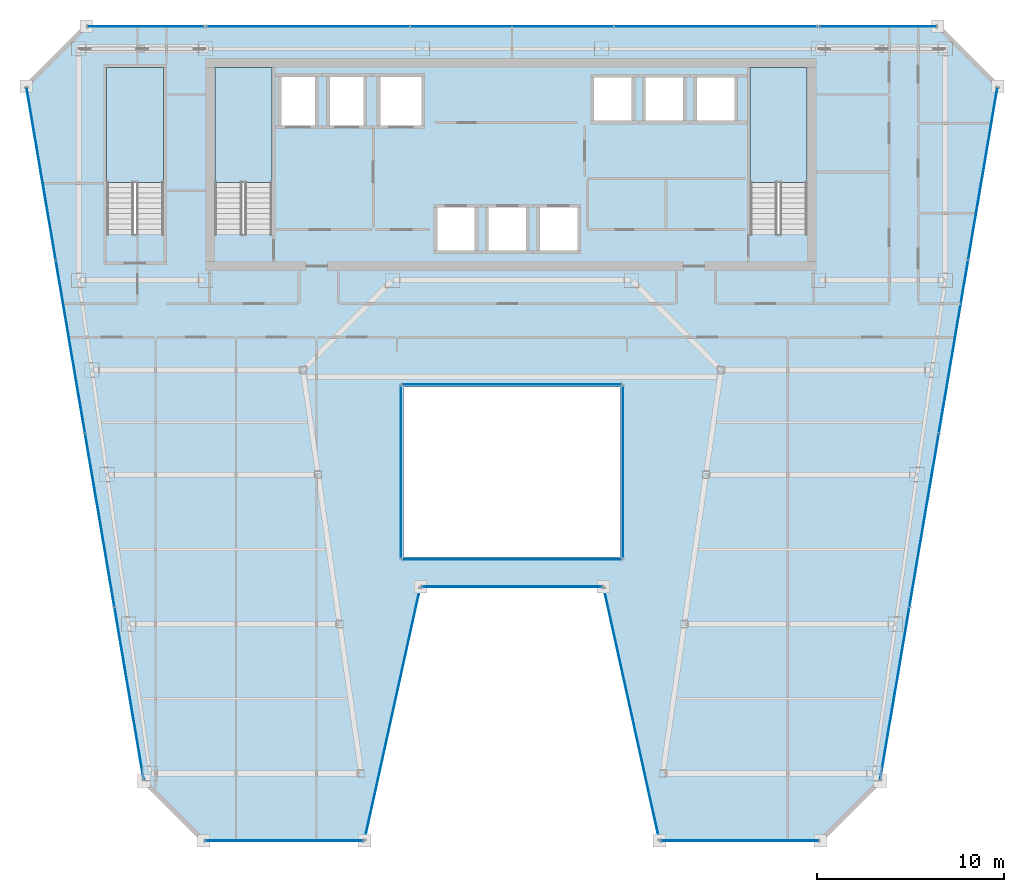
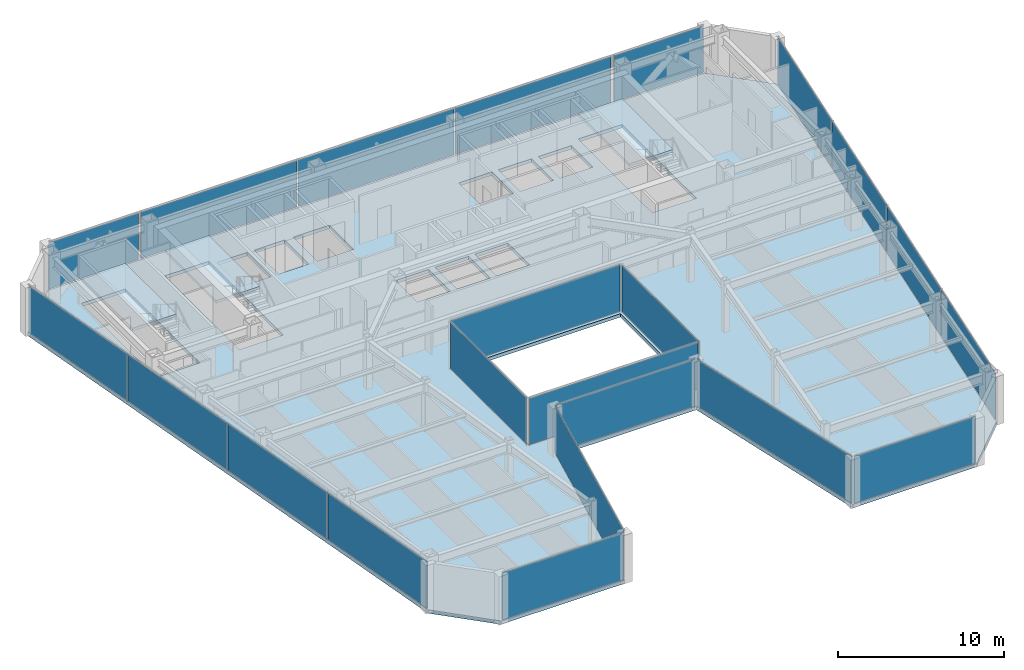
# One storey, part 28 of 35: 22 plates, 4 slabs, 17 elements without a shape of their own.
"""IFC4 building model written with IfcOpenShell, lengths in metres."""

from ifc_helpers import new_model, si_unit, direction, frame, origin, origin_2d, place, context, subcontext, project, spatial, polyline, rectangle, outline, extrude, material, layer, layer_set, type_object, element, aggregate, save


model = new_model("IFC4")

# Units and contexts
model_context = context("Model", 3, precision=1e-05, world=origin(), true_north=direction((0.0, 1.0)))
body_context = subcontext(model_context, "Body", "Model", "MODEL_VIEW")
ifc_project = project(units=[si_unit("LENGTHUNIT", "METRE"), si_unit("AREAUNIT", "SQUARE_METRE"), si_unit("VOLUMEUNIT", "CUBIC_METRE"), si_unit("PLANEANGLEUNIT", "RADIAN"), si_unit("MASSUNIT", "GRAM", prefix="KILO")], contexts=[model_context])

# Site, building, storey
site_placement = place(None, origin())
site = spatial("IfcSite", under=ifc_project, at=site_placement, CompositionType="ELEMENT")
building_placement = place(site_placement, origin())
building = spatial("IfcBuilding", under=site, at=building_placement, Name="Saevonmaru Cultural Tower", CompositionType="ELEMENT")
storey_placement = place(building_placement, frame((0.0, 0.0, 190.39990234375)))
storey = spatial("IfcBuildingStorey", under=building, at=storey_placement, Name="L43", CompositionType="ELEMENT", Elevation=190.39990234375)

# Curtain wall, plate
ifc_material_1 = material(Name="Satin Bronze Anodised Aluminium", Category="aluminium")
curtain_wall_type_1 = type_object("IfcCurtainWallType", Name="CW-ATR-GLZ", PredefinedType="NOTDEFINED", material=ifc_material_1)
curtain_wall_1_placement = place(storey_placement, origin())
curtain_wall_1 = element("IfcCurtainWall", 1, at=curtain_wall_1_placement, inside=storey, type_object=curtain_wall_type_1, Name="L43 Vertical Atrium Glazed Smoke Screen 1", PredefinedType="NOTDEFINED")
ifc_material_2 = material(Name="Fire-Rated Laminated Atrium Glass", Category="glass")
ifc_layer_1 = layer(ifc_material_2, 0.031982421875, Name="Fire-Rated Laminated Atrium Glass")
ifc_layer_set_1 = layer_set([ifc_layer_1], Name="Fire-Rated Laminated Atrium Glass")
plate_type_1 = type_object("IfcPlateType", Name="PN-GLZ-ATR-INT", PredefinedType="CURTAIN_PANEL", material=ifc_layer_set_1)
plate_1_placement = place(storey_placement, frame((30.0, 27.449951171875, 0.067138671875), z_axis=(0.0, 0.0, 1.0), x_axis=(1.0, 0.0, 0.0)))
plate_1 = element("IfcPlate", 2, at=plate_1_placement, type_object=plate_type_1, Name="CW-ATR-L43-1 panel 1.1", PredefinedType="CURTAIN_PANEL", context=body_context, shape_type="SweptSolid", body=[
    extrude(rectangle(XDim=11.7109375, YDim=0.031982421875, at=origin_2d()), origin(), (0.0, 0.0, 1.0), 3.416015625),
])
aggregate(curtain_wall_1, [plate_1])

curtain_wall_2_placement = place(storey_placement, origin())
curtain_wall_2 = element("IfcCurtainWall", 3, at=curtain_wall_2_placement, inside=storey, type_object=curtain_wall_type_1, Name="L43 Vertical Atrium Glazed Smoke Screen 2", PredefinedType="NOTDEFINED")
plate_2_placement = place(storey_placement, frame((35.949951171875, 32.139892578125, 0.067138671875), z_axis=(0.0, 0.0, 1.0), x_axis=(0.0, 1.0, 0.0)))
plate_2 = element("IfcPlate", 4, at=plate_2_placement, type_object=plate_type_1, Name="CW-ATR-L43-2 panel 1.1", PredefinedType="CURTAIN_PANEL", context=body_context, shape_type="SweptSolid", body=[
    extrude(rectangle(XDim=9.19091796875, YDim=0.031982421875, at=origin_2d()), origin(), (0.0, 0.0, 1.0), 3.416015625),
])
aggregate(curtain_wall_2, [plate_2])

curtain_wall_3_placement = place(storey_placement, origin())
curtain_wall_3 = element("IfcCurtainWall", 5, at=curtain_wall_3_placement, inside=storey, type_object=curtain_wall_type_1, Name="L43 Vertical Atrium Glazed Smoke Screen 3", PredefinedType="NOTDEFINED")
plate_3_placement = place(storey_placement, frame((30.0, 36.830078125, 0.067138671875), z_axis=(0.0, 0.0, 1.0), x_axis=(-1.0, 0.0, 0.0)))
plate_3 = element("IfcPlate", 6, at=plate_3_placement, type_object=plate_type_1, Name="CW-ATR-L43-3 panel 1.1", PredefinedType="CURTAIN_PANEL", context=body_context, shape_type="SweptSolid", body=[
    extrude(rectangle(XDim=11.7109375, YDim=0.031982421875, at=origin_2d()), origin(), (0.0, 0.0, 1.0), 3.416015625),
])
aggregate(curtain_wall_3, [plate_3])

curtain_wall_4_placement = place(storey_placement, origin())
curtain_wall_4 = element("IfcCurtainWall", 7, at=curtain_wall_4_placement, inside=storey, type_object=curtain_wall_type_1, Name="L43 Vertical Atrium Glazed Smoke Screen 4", PredefinedType="NOTDEFINED")
plate_4_placement = place(storey_placement, frame((24.050048828125, 32.139892578125, 0.067138671875), z_axis=(0.0, 0.0, 1.0), x_axis=(0.0, -1.0, 0.0)))
plate_4 = element("IfcPlate", 8, at=plate_4_placement, type_object=plate_type_1, Name="CW-ATR-L43-4 panel 1.1", PredefinedType="CURTAIN_PANEL", context=body_context, shape_type="SweptSolid", body=[
    extrude(rectangle(XDim=9.19091796875, YDim=0.031982421875, at=origin_2d()), origin(), (0.0, 0.0, 1.0), 3.416015625),
])
aggregate(curtain_wall_4, [plate_4])

curtain_wall_type_2 = type_object("IfcCurtainWallType", Name="CW-TYP-B", PredefinedType="NOTDEFINED", material=ifc_material_1)
curtain_wall_5_placement = place(storey_placement, origin())
curtain_wall_5 = element("IfcCurtainWall", 9, at=curtain_wall_5_placement, inside=storey, type_object=curtain_wall_type_2, Name="L43 Unitised Curtain Wall E2", PredefinedType="NOTDEFINED")
ifc_material_3 = material(Name="Triple Silver Low-E Insulating Glass", Category="glass")
ifc_layer_2 = layer(ifc_material_3, 0.035888671875, Name="Triple Silver Low-E Insulating Glass")
ifc_layer_set_2 = layer_set([ifc_layer_2], Name="Triple Silver Low-E Insulating Glass")
plate_type_2 = type_object("IfcPlateType", Name="PN-GLZ-IGU", PredefinedType="CURTAIN_PANEL", material=ifc_layer_set_2)
plate_5_placement = place(storey_placement, frame((17.7978515625, 12.39990234375, 0.067138671875), z_axis=(0.0, 0.0, 1.0), x_axis=(1.0, 0.0, 0.0)))
plate_5 = element("IfcPlate", 10, at=plate_5_placement, type_object=plate_type_2, Name="CW-TW-L43-E2 panel 1.1", PredefinedType="CURTAIN_PANEL", context=body_context, shape_type="SweptSolid", body=[
    extrude(rectangle(XDim=8.410888671875, YDim=0.035888671875, at=origin_2d()), origin(), (0.0, 0.0, 1.0), 3.416015625),
])
aggregate(curtain_wall_5, [plate_5])

curtain_wall_6_placement = place(storey_placement, origin())
curtain_wall_6 = element("IfcCurtainWall", 11, at=curtain_wall_6_placement, inside=storey, type_object=curtain_wall_type_2, Name="L43 Unitised Curtain Wall E3", PredefinedType="NOTDEFINED")
plate_6_placement = place(storey_placement, frame((23.597900390625, 19.199951171875, 0.067138671875), z_axis=(0.0, 0.0, 1.0), x_axis=(0.215413319953, 0.976522965212, 0.0)))
plate_6 = element("IfcPlate", 12, at=plate_6_placement, type_object=plate_type_2, Name="CW-TW-L43-E3 panel 1.1", PredefinedType="CURTAIN_PANEL", context=body_context, shape_type="SweptSolid", body=[
    extrude(rectangle(XDim=13.738037109375, YDim=0.035888671875, at=origin_2d()), origin(), (0.0, 0.0, 1.0), 3.416015625),
])
aggregate(curtain_wall_6, [plate_6])

curtain_wall_7_placement = place(storey_placement, origin())
curtain_wall_7 = element("IfcCurtainWall", 13, at=curtain_wall_7_placement, inside=storey, type_object=curtain_wall_type_2, Name="L43 Unitised Curtain Wall E4", PredefinedType="NOTDEFINED")
plate_7_placement = place(storey_placement, frame((30.0, 26.0, 0.067138671875), z_axis=(0.0, 0.0, 1.0), x_axis=(1.0, 0.0, 0.0)))
plate_7 = element("IfcPlate", 14, at=plate_7_placement, type_object=plate_type_2, Name="CW-TW-L43-E4 panel 1.1", PredefinedType="CURTAIN_PANEL", context=body_context, shape_type="SweptSolid", body=[
    extrude(rectangle(XDim=9.615478515625, YDim=0.035888671875, at=origin_2d()), origin(), (0.0, 0.0, 1.0), 3.416015625),
])
aggregate(curtain_wall_7, [plate_7])

curtain_wall_8_placement = place(storey_placement, origin())
curtain_wall_8 = element("IfcCurtainWall", 15, at=curtain_wall_8_placement, inside=storey, type_object=curtain_wall_type_2, Name="L43 Unitised Curtain Wall E5", PredefinedType="NOTDEFINED")
plate_8_placement = place(storey_placement, frame((36.402099609375, 19.199951171875, 0.067138671875), z_axis=(0.0, 0.0, 1.0), x_axis=(0.215413319953, -0.976522965212, 0.0)))
plate_8 = element("IfcPlate", 16, at=plate_8_placement, type_object=plate_type_2, Name="CW-TW-L43-E5 panel 1.1", PredefinedType="CURTAIN_PANEL", context=body_context, shape_type="SweptSolid", body=[
    extrude(rectangle(XDim=13.738037109375, YDim=0.035888671875, at=origin_2d()), origin(), (0.0, 0.0, 1.0), 3.416015625),
])
aggregate(curtain_wall_8, [plate_8])

curtain_wall_9_placement = place(storey_placement, origin())
curtain_wall_9 = element("IfcCurtainWall", 17, at=curtain_wall_9_placement, inside=storey, type_object=curtain_wall_type_2, Name="L43 Unitised Curtain Wall E6", PredefinedType="NOTDEFINED")
plate_9_placement = place(storey_placement, frame((42.2021484375, 12.39990234375, 0.067138671875), z_axis=(0.0, 0.0, 1.0), x_axis=(1.0, 0.0, 0.0)))
plate_9 = element("IfcPlate", 18, at=plate_9_placement, type_object=plate_type_2, Name="CW-TW-L43-E6 panel 1.1", PredefinedType="CURTAIN_PANEL", context=body_context, shape_type="SweptSolid", body=[
    extrude(rectangle(XDim=8.410888671875, YDim=0.035888671875, at=origin_2d()), origin(), (0.0, 0.0, 1.0), 3.416015625),
])
aggregate(curtain_wall_9, [plate_9])

# Curtain wall, plates
curtain_wall_10_placement = place(storey_placement, origin())
curtain_wall_10 = element("IfcCurtainWall", 19, at=curtain_wall_10_placement, inside=storey, type_object=curtain_wall_type_2, Name="L43 Unitised Curtain Wall E8", PredefinedType="NOTDEFINED")
plate_10_placement = place(storey_placement, frame((50.496826171875, 20.29443359375, 0.067138671875), z_axis=(0.0, 0.0, 1.0), x_axis=(0.16692169721, 0.985970155228, 0.0)))
plate_10 = element("IfcPlate", 20, at=plate_10_placement, type_object=plate_type_2, Name="CW-TW-L43-E8 panel 1.1", PredefinedType="CURTAIN_PANEL", context=body_context, shape_type="SweptSolid", body=[
    extrude(rectangle(XDim=9.333251953125, YDim=0.035888671875, at=origin_2d()), origin(), (0.0, 0.0, 1.0), 3.416015625),
])
plate_11_placement = place(storey_placement, frame((52.06640625, 29.564697265625, 0.067138671875), z_axis=(0.0, 0.0, 1.0), x_axis=(0.16692169721, 0.985970155228, 0.0)))
plate_11 = element("IfcPlate", 21, at=plate_11_placement, type_object=plate_type_2, Name="CW-TW-L43-E8 panel 2.1", PredefinedType="CURTAIN_PANEL", context=body_context, shape_type="SweptSolid", body=[
    extrude(rectangle(XDim=9.333251953125, YDim=0.035888671875, at=origin_2d()), origin(), (0.0, 0.0, 1.0), 3.416015625),
])
plate_12_placement = place(storey_placement, frame((53.6357421875, 38.835205078125, 0.067138671875), z_axis=(0.0, 0.0, 1.0), x_axis=(0.16692169721, 0.985970155228, 0.0)))
plate_12 = element("IfcPlate", 22, at=plate_12_placement, type_object=plate_type_2, Name="CW-TW-L43-E8 panel 3.1", PredefinedType="CURTAIN_PANEL", context=body_context, shape_type="SweptSolid", body=[
    extrude(rectangle(XDim=9.333251953125, YDim=0.035888671875, at=origin_2d()), origin(), (0.0, 0.0, 1.0), 3.416015625),
])
plate_13_placement = place(storey_placement, frame((55.205322265625, 48.105712890625, 0.067138671875), z_axis=(0.0, 0.0, 1.0), x_axis=(0.16692169721, 0.985970155228, 0.0)))
plate_13 = element("IfcPlate", 23, at=plate_13_placement, type_object=plate_type_2, Name="CW-TW-L43-E8 panel 4.1", PredefinedType="CURTAIN_PANEL", context=body_context, shape_type="SweptSolid", body=[
    extrude(rectangle(XDim=9.333251953125, YDim=0.035888671875, at=origin_2d()), origin(), (0.0, 0.0, 1.0), 3.416015625),
])
aggregate(curtain_wall_10, [plate_10, plate_11, plate_12, plate_13])

curtain_wall_11_placement = place(storey_placement, origin())
curtain_wall_11 = element("IfcCurtainWall", 24, at=curtain_wall_11_placement, inside=storey, type_object=curtain_wall_type_2, Name="L43 North Spine Unitised Curtain Wall E10B", PredefinedType="NOTDEFINED")
plate_14_placement = place(storey_placement, frame((40.893310546875, 56.0, 0.067138671875), z_axis=(0.0, 0.0, 1.0), x_axis=(-1.0, 0.0, 0.0)))
plate_14 = element("IfcPlate", 25, at=plate_14_placement, type_object=plate_type_2, Name="CW-TW-L43-E10B panel 1.1", PredefinedType="CURTAIN_PANEL", context=body_context, shape_type="SweptSolid", body=[
    extrude(rectangle(XDim=10.82421875, YDim=0.035888671875, at=origin_2d()), origin(), (0.0, 0.0, 1.0), 3.416015625),
])
plate_15_placement = place(storey_placement, frame((30.0, 56.0, 0.067138671875), z_axis=(0.0, 0.0, 1.0), x_axis=(-1.0, 0.0, 0.0)))
plate_15 = element("IfcPlate", 26, at=plate_15_placement, type_object=plate_type_2, Name="CW-TW-L43-E10B panel 2.1", PredefinedType="CURTAIN_PANEL", context=body_context, shape_type="SweptSolid", body=[
    extrude(rectangle(XDim=10.82421875, YDim=0.035888671875, at=origin_2d()), origin(), (0.0, 0.0, 1.0), 3.416015625),
])
plate_16_placement = place(storey_placement, frame((19.106689453125, 56.0, 0.067138671875), z_axis=(0.0, 0.0, 1.0), x_axis=(-1.0, 0.0, 0.0)))
plate_16 = element("IfcPlate", 27, at=plate_16_placement, type_object=plate_type_2, Name="CW-TW-L43-E10B panel 3.1", PredefinedType="CURTAIN_PANEL", context=body_context, shape_type="SweptSolid", body=[
    extrude(rectangle(XDim=10.82421875, YDim=0.035888671875, at=origin_2d()), origin(), (0.0, 0.0, 1.0), 3.416015625),
])
aggregate(curtain_wall_11, [plate_14, plate_15, plate_16])

curtain_wall_12_placement = place(storey_placement, origin())
curtain_wall_12 = element("IfcCurtainWall", 28, at=curtain_wall_12_placement, inside=storey, type_object=curtain_wall_type_2, Name="L43 Unitised Curtain Wall E12", PredefinedType="NOTDEFINED")
plate_17_placement = place(storey_placement, frame((4.794677734375, 48.105712890625, 0.067138671875), z_axis=(0.0, 0.0, 1.0), x_axis=(0.16692169721, -0.985970155228, 0.0)))
plate_17 = element("IfcPlate", 29, at=plate_17_placement, type_object=plate_type_2, Name="CW-TW-L43-E12 panel 1.1", PredefinedType="CURTAIN_PANEL", context=body_context, shape_type="SweptSolid", body=[
    extrude(rectangle(XDim=9.333251953125, YDim=0.035888671875, at=origin_2d()), origin(), (0.0, 0.0, 1.0), 3.416015625),
])
plate_18_placement = place(storey_placement, frame((6.3642578125, 38.835205078125, 0.067138671875), z_axis=(0.0, 0.0, 1.0), x_axis=(0.16692169721, -0.985970155228, 0.0)))
plate_18 = element("IfcPlate", 30, at=plate_18_placement, type_object=plate_type_2, Name="CW-TW-L43-E12 panel 2.1", PredefinedType="CURTAIN_PANEL", context=body_context, shape_type="SweptSolid", body=[
    extrude(rectangle(XDim=9.333251953125, YDim=0.035888671875, at=origin_2d()), origin(), (0.0, 0.0, 1.0), 3.416015625),
])
plate_19_placement = place(storey_placement, frame((7.93359375, 29.564697265625, 0.067138671875), z_axis=(0.0, 0.0, 1.0), x_axis=(0.16692169721, -0.985970155228, 0.0)))
plate_19 = element("IfcPlate", 31, at=plate_19_placement, type_object=plate_type_2, Name="CW-TW-L43-E12 panel 3.1", PredefinedType="CURTAIN_PANEL", context=body_context, shape_type="SweptSolid", body=[
    extrude(rectangle(XDim=9.333251953125, YDim=0.035888671875, at=origin_2d()), origin(), (0.0, 0.0, 1.0), 3.416015625),
])
plate_20_placement = place(storey_placement, frame((9.503173828125, 20.29443359375, 0.067138671875), z_axis=(0.0, 0.0, 1.0), x_axis=(0.16692169721, -0.985970155228, 0.0)))
plate_20 = element("IfcPlate", 32, at=plate_20_placement, type_object=plate_type_2, Name="CW-TW-L43-E12 panel 4.1", PredefinedType="CURTAIN_PANEL", context=body_context, shape_type="SweptSolid", body=[
    extrude(rectangle(XDim=9.333251953125, YDim=0.035888671875, at=origin_2d()), origin(), (0.0, 0.0, 1.0), 3.416015625),
])
aggregate(curtain_wall_12, [plate_17, plate_18, plate_19, plate_20])

# Curtain wall, plate
curtain_wall_13_placement = place(storey_placement, origin())
curtain_wall_13 = element("IfcCurtainWall", 33, at=curtain_wall_13_placement, inside=storey, type_object=curtain_wall_type_2, Name="L43 East Braced Bay Spandrel Curtain Wall E10A", PredefinedType="NOTDEFINED")
ifc_material_4 = material(Name="Insulated Satin Bronze Aluminium Spandrel Panel", Category="aluminium")
ifc_layer_3 = layer(ifc_material_4, 0.0400390625, Name="Insulated Satin Bronze Aluminium Spandrel Panel")
ifc_layer_set_3 = layer_set([ifc_layer_3], Name="Insulated Satin Bronze Aluminium Spandrel Panel")
plate_type_3 = type_object("IfcPlateType", Name="PN-SPANDREL-BRONZE", PredefinedType="CURTAIN_PANEL", material=ifc_layer_set_3)
plate_21_placement = place(storey_placement, frame((49.60009765625, 56.0, 0.067138671875), z_axis=(0.0, 0.0, 1.0), x_axis=(-1.0, 0.0, 0.0)))
plate_21 = element("IfcPlate", 34, at=plate_21_placement, type_object=plate_type_3, Name="CW-TW-L43-E10A panel 1.1", PredefinedType="CURTAIN_PANEL", context=body_context, shape_type="SweptSolid", body=[
    extrude(rectangle(XDim=6.2109375, YDim=0.035888671875, at=origin_2d()), origin(), (0.0, 0.0, 1.0), 3.416015625),
])
aggregate(curtain_wall_13, [plate_21])

curtain_wall_14_placement = place(storey_placement, origin())
curtain_wall_14 = element("IfcCurtainWall", 35, at=curtain_wall_14_placement, inside=storey, type_object=curtain_wall_type_2, Name="L43 West Braced Bay Spandrel Curtain Wall E10C", PredefinedType="NOTDEFINED")
plate_22_placement = place(storey_placement, frame((10.39990234375, 56.0, 0.067138671875), z_axis=(0.0, 0.0, 1.0), x_axis=(-1.0, 0.0, 0.0)))
plate_22 = element("IfcPlate", 36, at=plate_22_placement, type_object=plate_type_3, Name="CW-TW-L43-E10C panel 1.1", PredefinedType="CURTAIN_PANEL", context=body_context, shape_type="SweptSolid", body=[
    extrude(rectangle(XDim=6.2109375, YDim=0.035888671875, at=origin_2d()), origin(), (0.0, 0.0, 1.0), 3.416015625),
])
aggregate(curtain_wall_14, [plate_22])

# Slab
ifc_material_5 = material(Name="Concrete C40/50", Category="concrete")
ifc_layer_4 = layer(ifc_material_5, 0.25, Name="Concrete C40/50")
ifc_layer_set_4 = layer_set([ifc_layer_4], Name="Concrete C40/50")
slab_type_1 = type_object("IfcSlabType", Name="SL-FLR-250", PredefinedType="FLOOR", material=ifc_layer_set_4)
slab_1_placement = place(storey_placement, frame((0.0, 0.0, -0.25)))
element("IfcSlab", 37, at=slab_1_placement, inside=storey, type_object=slab_type_1, Name="L43 Tower Structural Floor Slab", PredefinedType="FLOOR", context=body_context, shape_type="SweptSolid", body=[
    extrude(outline(polyline([(10.2978515625, 15.60009765625), (13.497802734375, 12.39990234375), (22.097900390625, 12.39990234375), (25.097900390625, 26.0), (34.902099609375, 26.0), (37.902099609375, 12.39990234375), (46.502197265625, 12.39990234375), (49.7021484375, 15.60009765625), (56.0, 52.800048828125), (52.800048828125, 56.0), (7.199951171875, 56.0), (4.0, 52.800048828125), (10.2978515625, 15.60009765625)]), holes=[polyline([(45.800048828125, 44.875), (42.75, 44.875), (42.75, 53.800048828125), (45.800048828125, 53.800048828125), (45.800048828125, 44.875)]), polyline([(39.75, 50.800048828125), (39.75, 53.39990234375), (42.050048828125, 53.39990234375), (42.050048828125, 50.800048828125), (39.75, 50.800048828125)]), polyline([(37.0, 50.800048828125), (37.0, 53.39990234375), (39.300048828125, 53.39990234375), (39.300048828125, 50.800048828125), (37.0, 50.800048828125)]), polyline([(34.25, 50.800048828125), (34.25, 53.39990234375), (36.550048828125, 53.39990234375), (36.550048828125, 50.800048828125), (34.25, 50.800048828125)]), polyline([(24.199951171875, 27.60009765625), (24.199951171875, 36.679931640625), (35.800048828125, 36.679931640625), (35.800048828125, 27.60009765625), (24.199951171875, 27.60009765625)]), polyline([(31.35009765625, 43.85009765625), (31.35009765625, 46.449951171875), (33.64990234375, 46.449951171875), (33.64990234375, 43.85009765625), (31.35009765625, 43.85009765625)]), polyline([(28.60009765625, 43.85009765625), (28.60009765625, 46.449951171875), (30.89990234375, 46.449951171875), (30.89990234375, 43.85009765625), (28.60009765625, 43.85009765625)]), polyline([(28.14990234375, 43.85009765625), (25.85009765625, 43.85009765625), (25.85009765625, 46.449951171875), (28.14990234375, 46.449951171875), (28.14990234375, 43.85009765625)]), polyline([(25.300048828125, 50.550048828125), (22.800048828125, 50.550048828125), (22.800048828125, 53.449951171875), (25.300048828125, 53.449951171875), (25.300048828125, 50.550048828125)]), polyline([(20.10009765625, 50.550048828125), (20.10009765625, 53.449951171875), (22.199951171875, 53.449951171875), (22.199951171875, 50.550048828125), (20.10009765625, 50.550048828125)]), polyline([(17.5, 50.550048828125), (17.5, 53.449951171875), (19.60009765625, 53.449951171875), (19.60009765625, 50.550048828125), (17.5, 50.550048828125)]), polyline([(17.14990234375, 53.800048828125), (17.14990234375, 44.875), (14.10009765625, 44.875), (14.10009765625, 53.800048828125), (17.14990234375, 53.800048828125)]), polyline([(11.35009765625, 44.875), (8.300048828125, 44.875), (8.300048828125, 53.800048828125), (11.35009765625, 53.800048828125), (11.35009765625, 44.875)])]), origin(), (0.0, 0.0, 1.0), 0.25),
])

# Stair, slab
stair_type = type_object("IfcStairType", Name="STR-DOGLEG-RC", PredefinedType="HALF_TURN_STAIR", material=ifc_material_5)
stair_1_placement = place(storey_placement, origin())
stair_1 = element("IfcStair", 38, at=stair_1_placement, inside=storey, type_object=stair_type, Name="L43 Protected exit stair ST-1", PredefinedType="HALF_TURN_STAIR")
ifc_layer_5 = layer(ifc_material_5, 0.199951171875, Name="Concrete C40/50")
ifc_layer_set_5 = layer_set([ifc_layer_5], Name="Concrete C40/50")
slab_type_2 = type_object("IfcSlabType", Name="SL-STAIR-LANDING", PredefinedType="LANDING", material=ifc_layer_set_5)
slab_2_placement = place(storey_placement, frame((0.0, 0.0, 1.7001953125)))
slab_2 = element("IfcSlab", 39, at=slab_2_placement, type_object=slab_type_2, Name="ST-1-L43 landing 1", PredefinedType="LANDING", context=body_context, shape_type="SweptSolid", body=[
    extrude(outline(polyline([(17.14990234375, 47.64990234375), (17.14990234375, 53.800048828125), (14.10009765625, 53.800048828125), (14.10009765625, 47.64990234375), (17.14990234375, 47.64990234375)])), origin(), (0.0, 0.0, 1.0), 0.199951171875),
])
aggregate(stair_1, [slab_2])

stair_2_placement = place(storey_placement, origin())
stair_2 = element("IfcStair", 40, at=stair_2_placement, inside=storey, type_object=stair_type, Name="L43 Protected exit stair ST-2", PredefinedType="HALF_TURN_STAIR")
slab_3_placement = place(storey_placement, frame((0.0, 0.0, 1.7001953125)))
slab_3 = element("IfcSlab", 41, at=slab_3_placement, type_object=slab_type_2, Name="ST-2-L43 landing 1", PredefinedType="LANDING", context=body_context, shape_type="SweptSolid", body=[
    extrude(outline(polyline([(45.800048828125, 47.64990234375), (45.800048828125, 53.800048828125), (42.75, 53.800048828125), (42.75, 47.64990234375), (45.800048828125, 47.64990234375)])), origin(), (0.0, 0.0, 1.0), 0.199951171875),
])
aggregate(stair_2, [slab_3])

stair_3_placement = place(storey_placement, origin())
stair_3 = element("IfcStair", 42, at=stair_3_placement, inside=storey, type_object=stair_type, Name="L43 Protected exit stair ST-3", PredefinedType="HALF_TURN_STAIR")
slab_4_placement = place(storey_placement, frame((0.0, 0.0, 1.7001953125)))
slab_4 = element("IfcSlab", 43, at=slab_4_placement, type_object=slab_type_2, Name="ST-3-L43 landing 1", PredefinedType="LANDING", context=body_context, shape_type="SweptSolid", body=[
    extrude(outline(polyline([(11.35009765625, 47.64990234375), (11.35009765625, 53.800048828125), (8.300048828125, 53.800048828125), (8.300048828125, 47.64990234375), (11.35009765625, 47.64990234375)])), origin(), (0.0, 0.0, 1.0), 0.199951171875),
])
aggregate(stair_3, [slab_4])

save(model, "model.ifc")
